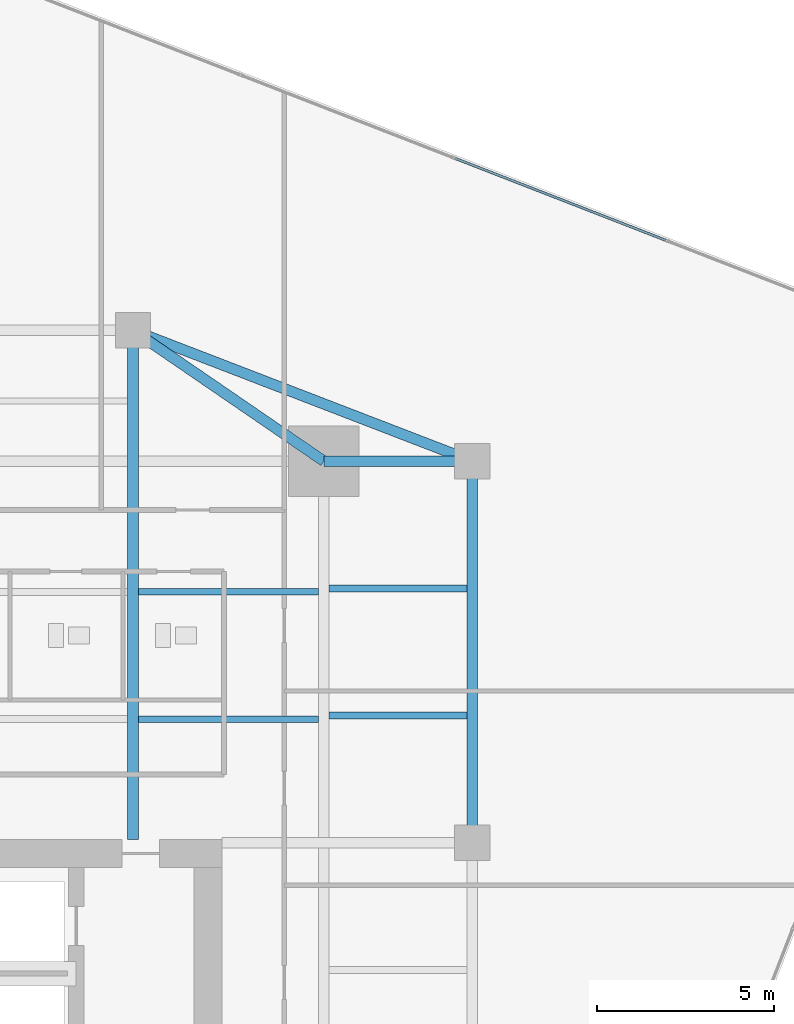
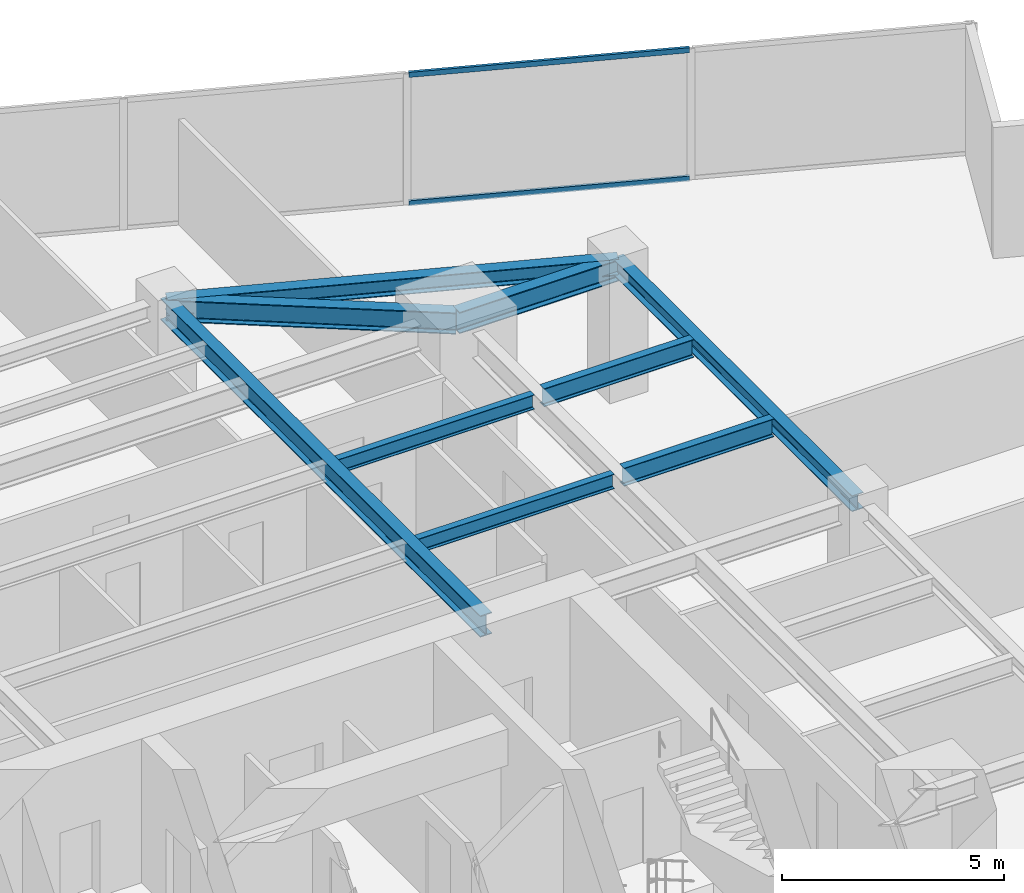
# One storey, part 18 of 26: 9 beams, 2 members, 1 element without a shape of its own.
"""IFC4 building model written with IfcOpenShell, lengths in metres."""

from ifc_helpers import new_model, si_unit, direction, frame, origin, origin_2d, place, context, subcontext, project, spatial, hollow_rectangle, i_section, extrude, source, transform, mapped, material, material_profile, profile_set, type_object, type_shapes, element, aggregate, save


model = new_model("IFC4")

# Units and contexts
model_context = context("Model", 3, precision=1e-05, world=origin(), true_north=direction((0.0, 1.0)))
body_context = subcontext(model_context, "Body", "Model", "MODEL_VIEW")
ifc_project = project(units=[si_unit("LENGTHUNIT", "METRE"), si_unit("AREAUNIT", "SQUARE_METRE"), si_unit("VOLUMEUNIT", "CUBIC_METRE"), si_unit("PLANEANGLEUNIT", "RADIAN"), si_unit("MASSUNIT", "GRAM", prefix="KILO")], contexts=[model_context])

# Site, building, storey
site_placement = place(None, origin())
site = spatial("IfcSite", under=ifc_project, at=site_placement, CompositionType="ELEMENT")
building_placement = place(site_placement, origin())
building = spatial("IfcBuilding", under=site, at=building_placement, Name="Krantzveldt Concourse Tower", CompositionType="ELEMENT")
storey_placement = place(building_placement, frame((0.0, 0.0, 137.449951171875)))
storey = spatial("IfcBuildingStorey", under=building, at=storey_placement, Name="L33", CompositionType="ELEMENT", Elevation=137.449951171875)

# Beams
ifc_material_1 = material(Name="Steel S355JR", Category="steel")
ifc_material_profile_1 = material_profile(ifc_material_1, i_section(OverallWidth=0.300048828125, OverallDepth=0.590087890625, WebThickness=0.012939453125, FlangeThickness=0.02490234375, FilletRadius=0.027099609375, at=origin_2d()), Name="Steel S355JR", Category="steel")
ifc_profile_set_1 = profile_set([ifc_material_profile_1], Name="Steel S355JR - HEA 600")
beam_type_1 = type_object("IfcBeamType", Name="BM-B-HEA600", PredefinedType="BEAM", material=ifc_profile_set_1)
shared_shape_1 = source(origin(), body_context, "Body", "SweptSolid", [
    extrude(i_section(OverallWidth=0.300048828125, OverallDepth=0.590087890625, WebThickness=0.012939453125, FlangeThickness=0.02490234375, FilletRadius=0.027099609375, at=origin_2d()), origin(), (0.0, 0.0, 1.0), 14.39990234375),
])
beam_1_placement = place(storey_placement, frame((41.39990234375, 26.800048828125, 3.304931640625), z_axis=(0.0, 1.0, 0.0), x_axis=(-1.0, 0.0, 0.0)))
element("IfcBeam", 1, at=beam_1_placement, inside=storey, type_object=beam_type_1, Name="L33 Tower Girder BG-CNE", PredefinedType="BEAM", context=body_context, shape_type="MappedRepresentation", body=[
    mapped(shared_shape_1, transform((0.0, 0.0, 0.0), x_axis=(1.0, 0.0, 0.0), y_axis=(0.0, 1.0, 0.0), z_axis=(0.0, 0.0, 1.0), scale=1.0)),
])
ifc_material_profile_2 = material_profile(ifc_material_1, i_section(OverallWidth=0.300048828125, OverallDepth=0.43994140625, WebThickness=0.011474609375, FlangeThickness=0.02099609375, FilletRadius=0.027099609375, at=origin_2d()), Name="Steel S355JR", Category="steel")
ifc_profile_set_2 = profile_set([ifc_material_profile_2], Name="Steel S355JR - HEA 450")
beam_type_2 = type_object("IfcBeamType", Name="BM-SP-HEA450", PredefinedType="SPANDREL", material=ifc_profile_set_2)
shared_shape_2 = source(origin(), body_context, "Body", "SweptSolid", [
    extrude(i_section(OverallWidth=0.300048828125, OverallDepth=0.43994140625, WebThickness=0.011474609375, FlangeThickness=0.02099609375, FilletRadius=0.027099609375, at=origin_2d()), origin(), (0.0, 0.0, 1.0), 10.800048828125),
])
beam_2_placement = place(storey_placement, frame((51.0, 37.5, 3.380126953125), z_axis=(0.0, -1.0, 0.0), x_axis=(1.0, 0.0, 0.0)))
element("IfcBeam", 2, at=beam_2_placement, inside=storey, type_object=beam_type_2, Name="L33 Tower Girder SP-R06", PredefinedType="SPANDREL", context=body_context, shape_type="MappedRepresentation", body=[
    mapped(shared_shape_2, transform((0.0, 0.0, 0.0), x_axis=(1.0, 0.0, 0.0), y_axis=(0.0, 1.0, 0.0), z_axis=(0.0, 0.0, 1.0), scale=1.0)),
])
shared_shape_3 = source(origin(), body_context, "Body", "SweptSolid", [
    extrude(i_section(OverallWidth=0.300048828125, OverallDepth=0.43994140625, WebThickness=0.011474609375, FlangeThickness=0.02099609375, FilletRadius=0.027099609375, at=origin_2d()), origin(), (0.0, 0.0, 1.0), 10.288330078125),
])
type_shapes(beam_type_2, [shared_shape_2, shared_shape_3])
beam_3_placement = place(storey_placement, frame((41.39990234375, 41.199951171875, 3.380126953125), z_axis=(0.933097690408, -0.359622997257, 0.0), x_axis=(0.359622997257, 0.933097690408, 0.0)))
element("IfcBeam", 3, at=beam_3_placement, inside=storey, type_object=beam_type_2, Name="L33 Tower Girder SP-R05", PredefinedType="SPANDREL", context=body_context, shape_type="MappedRepresentation", body=[
    mapped(shared_shape_3, transform((0.0, 0.0, 0.0), x_axis=(1.0, 0.0, 0.0), y_axis=(0.0, 1.0, 0.0), z_axis=(0.0, 0.0, 1.0), scale=1.0)),
])
shared_shape_4 = source(origin(), body_context, "Body", "SweptSolid", [
    extrude(i_section(OverallWidth=0.300048828125, OverallDepth=0.590087890625, WebThickness=0.012939453125, FlangeThickness=0.02490234375, FilletRadius=0.027099609375, at=origin_2d()), origin(), (0.0, 0.0, 1.0), 4.199951171875),
])
beam_4_placement = place(storey_placement, frame((46.800048828125, 37.5, 3.304931640625), z_axis=(1.0, 0.0, 0.0), x_axis=(0.0, 1.0, 0.0)))
element("IfcBeam", 4, at=beam_4_placement, inside=storey, type_object=beam_type_1, Name="L33 Tower Girder BR-RR3", PredefinedType="BEAM", context=body_context, shape_type="MappedRepresentation", body=[
    mapped(shared_shape_4, transform((0.0, 0.0, 0.0), x_axis=(1.0, 0.0, 0.0), y_axis=(0.0, 1.0, 0.0), z_axis=(0.0, 0.0, 1.0), scale=1.0)),
])
shared_shape_5 = source(origin(), body_context, "Body", "SweptSolid", [
    extrude(i_section(OverallWidth=0.300048828125, OverallDepth=0.590087890625, WebThickness=0.012939453125, FlangeThickness=0.02490234375, FilletRadius=0.027099609375, at=origin_2d()), origin(), (0.0, 0.0, 1.0), 6.546142578125),
])
type_shapes(beam_type_1, [shared_shape_1, shared_shape_4, shared_shape_5])
beam_5_placement = place(storey_placement, frame((46.800048828125, 37.5, 3.304931640625), z_axis=(-0.824942999484, 0.565215930068, 0.0), x_axis=(-0.565215930068, -0.824942999484, 0.0)))
element("IfcBeam", 5, at=beam_5_placement, inside=storey, type_object=beam_type_1, Name="L33 Tower Girder BR-RR4", PredefinedType="BEAM", context=body_context, shape_type="MappedRepresentation", body=[
    mapped(shared_shape_5, transform((0.0, 0.0, 0.0), x_axis=(1.0, 0.0, 0.0), y_axis=(0.0, 1.0, 0.0), z_axis=(0.0, 0.0, 1.0), scale=1.0)),
])
ifc_material_profile_3 = material_profile(ifc_material_1, i_section(OverallWidth=0.179931640625, OverallDepth=0.39990234375, WebThickness=0.008544921875, FlangeThickness=0.013427734375, FilletRadius=0.02099609375, at=origin_2d()), Name="Steel S355JR", Category="steel")
ifc_profile_set_3 = profile_set([ifc_material_profile_3], Name="Steel S355JR - IPE 400")
beam_type_3 = type_object("IfcBeamType", Name="BM-J-IPE400", PredefinedType="JOIST", material=ifc_profile_set_3)
shared_shape_6 = source(origin(), body_context, "Body", "SweptSolid", [
    extrude(i_section(OverallWidth=0.179931640625, OverallDepth=0.39990234375, WebThickness=0.008544921875, FlangeThickness=0.013427734375, FilletRadius=0.02099609375, at=origin_2d()), origin(), (0.0, 0.0, 1.0), 5.099853515625),
])
type_shapes(beam_type_3, [shared_shape_6])
for number, where, z_axis, x_axis, name in (
    (6, (41.550048828125, 30.199951171875, 3.400146484375), (1.0, 0.0, 0.0), (0.0, 1.0, 0.0), "L33 Secondary Floor Joist JN-E1"),
    (7, (41.550048828125, 33.800048828125, 3.400146484375), (1.0, 0.0, 0.0), (0.0, 1.0, 0.0), "L33 Secondary Floor Joist JN-E2"),
):
    element("IfcBeam", number, at=place(storey_placement, frame(where, z_axis=z_axis, x_axis=x_axis)), inside=storey, type_object=beam_type_3, Name=name, PredefinedType="JOIST", context=body_context, shape_type="MappedRepresentation", body=[
        mapped(shared_shape_6, transform((0.0, 0.0, 0.0), x_axis=(1.0, 0.0, 0.0), y_axis=(0.0, 1.0, 0.0), z_axis=(0.0, 0.0, 1.0), scale=1.0)),
    ])
ifc_material_profile_4 = material_profile(ifc_material_1, i_section(OverallWidth=0.199951171875, OverallDepth=0.5, WebThickness=0.01025390625, FlangeThickness=0.01611328125, FilletRadius=0.02099609375, at=origin_2d()), Name="Steel S355JR", Category="steel")
ifc_profile_set_4 = profile_set([ifc_material_profile_4], Name="Steel S355JR - IPE 500")
beam_type_4 = type_object("IfcBeamType", Name="BM-J-IPE500", PredefinedType="JOIST", material=ifc_profile_set_4)
shared_shape_7 = source(origin(), body_context, "Body", "SweptSolid", [
    extrude(i_section(OverallWidth=0.199951171875, OverallDepth=0.5, WebThickness=0.01025390625, FlangeThickness=0.01611328125, FilletRadius=0.02099609375, at=origin_2d()), origin(), (0.0, 0.0, 1.0), 3.900146484375),
])
type_shapes(beam_type_4, [shared_shape_7])
for number, where, z_axis, x_axis, name in (
    (8, (46.949951171875, 30.300048828125, 3.35009765625), (1.0, 0.0, 0.0), (0.0, 1.0, 0.0), "L33 Secondary Floor Joist JE-3"),
    (9, (46.949951171875, 33.89990234375, 3.35009765625), (1.0, 0.0, 0.0), (0.0, 1.0, 0.0), "L33 Secondary Floor Joist JE-4"),
):
    element("IfcBeam", number, at=place(storey_placement, frame(where, z_axis=z_axis, x_axis=x_axis)), inside=storey, type_object=beam_type_4, Name=name, PredefinedType="JOIST", context=body_context, shape_type="MappedRepresentation", body=[
        mapped(shared_shape_7, transform((0.0, 0.0, 0.0), x_axis=(1.0, 0.0, 0.0), y_axis=(0.0, 1.0, 0.0), z_axis=(0.0, 0.0, 1.0), scale=1.0)),
    ])

# Curtain wall, members
ifc_material_2 = material(Name="Anodised aluminium 6063-T6", Category="aluminium")
curtain_wall_type = type_object("IfcCurtainWallType", Name="CW2", PredefinedType="USERDEFINED", material=ifc_material_2)
curtain_wall_placement = place(storey_placement, origin())
curtain_wall = element("IfcCurtainWall", 10, at=curtain_wall_placement, inside=storey, type_object=curtain_wall_type, Name="CW-L33-F14", ObjectType="UNITISED CURTAIN WALL", PredefinedType="USERDEFINED")
ifc_material_profile_5 = material_profile(ifc_material_2, hollow_rectangle(XDim=0.070068359375, YDim=0.139892578125, WallThickness=0.0048828125, at=origin_2d()), Name="Anodised aluminium 6063-T6", Category="aluminium")
ifc_profile_set_5 = profile_set([ifc_material_profile_5], Name="Anodised aluminium 6063-T6 - ALU-TRAN 140x70x5")
member_type = type_object("IfcMemberType", Name="CW-TRN-150", PredefinedType="USERDEFINED", material=ifc_profile_set_5)
shared_shape_8 = source(origin(), body_context, "Body", "SweptSolid", [
    extrude(hollow_rectangle(XDim=0.070068359375, YDim=0.139892578125, WallThickness=0.0048828125, at=origin_2d()), origin(), (0.0, 0.0, 1.0), 6.396484375),
])
type_shapes(member_type, [shared_shape_8])
member_1_placement = place(storey_placement, frame((56.4697265625, 43.750244140625, 0.03515625), z_axis=(-0.932008252882, 0.36243705186, 0.0), x_axis=(-0.36243705186, -0.932008252882, 0.0)))
member_1 = element("IfcMember", 11, at=member_1_placement, type_object=member_type, Name="CW-Z12 transom 2.1", ObjectType="TRANSOM", PredefinedType="USERDEFINED", context=body_context, shape_type="MappedRepresentation", body=[
    mapped(shared_shape_8, transform((0.0, 0.0, 0.0), x_axis=(1.0, 0.0, 0.0), y_axis=(0.0, 1.0, 0.0), z_axis=(0.0, 0.0, 1.0), scale=1.0)),
])
member_2_placement = place(storey_placement, frame((56.4697265625, 43.750244140625, 3.56494140625), z_axis=(-0.932008252882, 0.36243705186, 0.0), x_axis=(-0.36243705186, -0.932008252882, 0.0)))
member_2 = element("IfcMember", 12, at=member_2_placement, type_object=member_type, Name="CW-Z12 transom 2.2", ObjectType="TRANSOM", PredefinedType="USERDEFINED", context=body_context, shape_type="MappedRepresentation", body=[
    mapped(shared_shape_8, transform((0.0, 0.0, 0.0), x_axis=(1.0, 0.0, 0.0), y_axis=(0.0, 1.0, 0.0), z_axis=(0.0, 0.0, 1.0), scale=1.0)),
])
aggregate(curtain_wall, [member_1, member_2])

save(model, "model.ifc")
